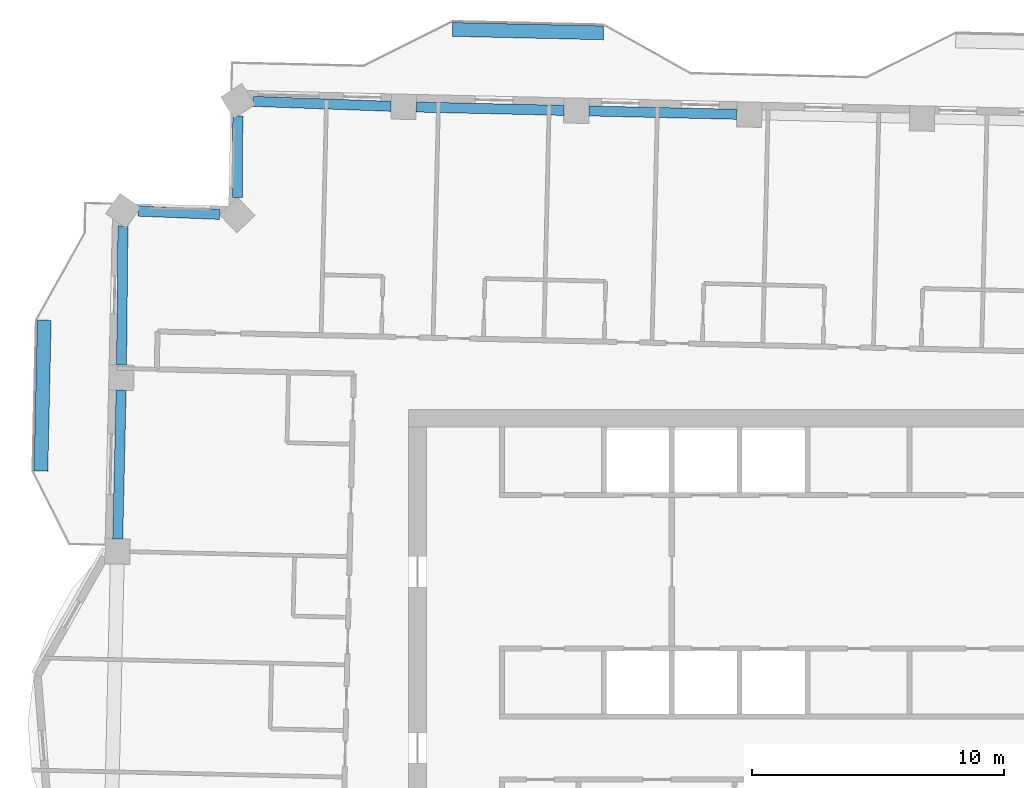
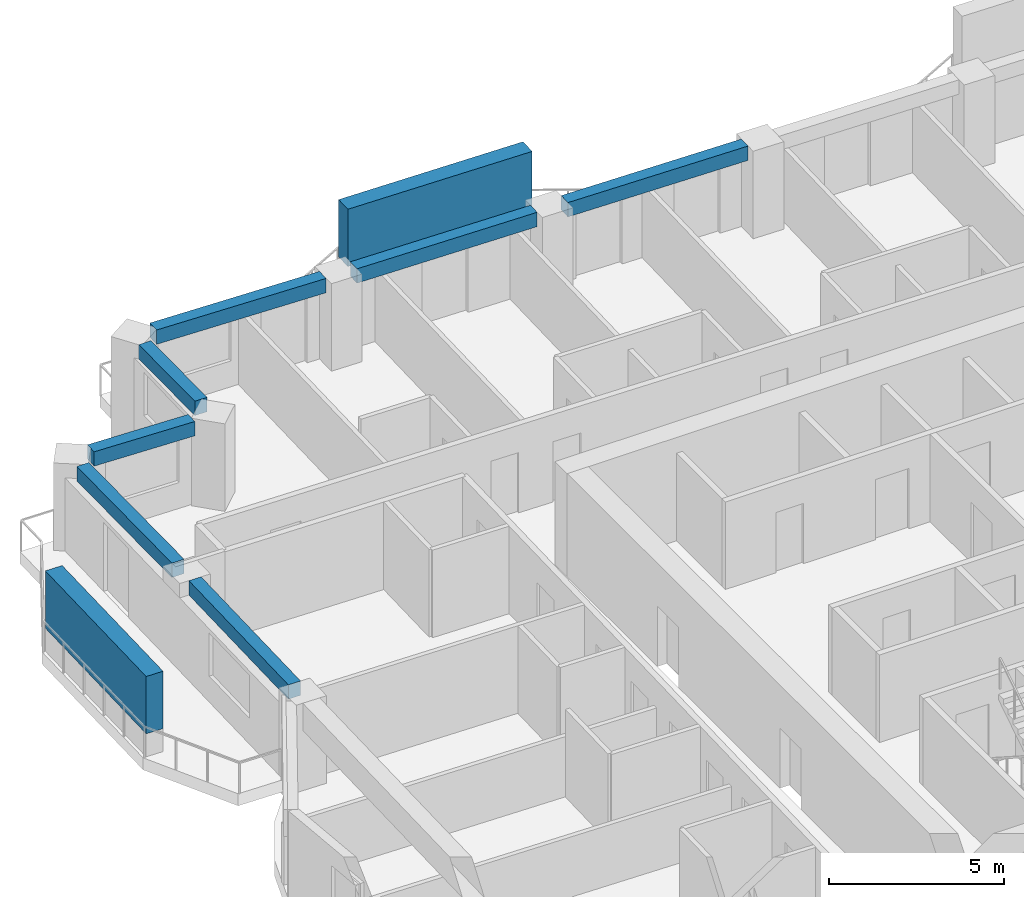
# One storey, part 3 of 17: 7 beams, 2 members.
"""IFC4 building model written with IfcOpenShell, lengths in metres."""

import ifcopenshell
import ifcopenshell.guid

model = None  # the IFC model being written
_history = None  # IfcOwnerHistory: only IFC2X3 demands one
_inside = {}  # id of a spatial element -> (the spatial element, [elements in it])
_under = {}  # id of a project, library or spatial element -> (it, [spatial elements below it])
_declared = {}  # id of a project -> (the project, [libraries it declares])
_typed = {}  # id of a type object -> (the type object, [elements of that type])
_made_of = {}  # id of a material, layer set ... -> (it, [elements and type objects made of it])


def new_model(schema):
    """Start an empty IFC model of exactly this schema.

    Asked for "IFC4X3", IfcOpenShell would pick the latest addendum, in which some entities
    have other attributes; the version numbers below select the first issue.
    IFC2X3 requires an IfcOwnerHistory on every rooted entity: one is made here for all.
    """
    global model, _history
    if schema == "IFC4X3":
        model = ifcopenshell.file(schema_version=(4, 3, 0, 0))
    else:
        model = ifcopenshell.file(schema=schema)
    _inside.clear()
    _under.clear()
    _declared.clear()
    _typed.clear()
    _made_of.clear()
    _history = None
    if model.schema == "IFC2X3":
        org = make("IfcOrganization", Name="unknown")
        user = make(
            "IfcPersonAndOrganization",
            ThePerson=make("IfcPerson", FamilyName="unknown"),
            TheOrganization=org,
        )
        app = make(
            "IfcApplication",
            ApplicationDeveloper=org,
            Version="unknown",
            ApplicationFullName="unknown",
            ApplicationIdentifier="unknown",
        )
        _history = make(
            "IfcOwnerHistory",
            OwningUser=user,
            OwningApplication=app,
            ChangeAction="ADDED",
            CreationDate=0,
        )
    return model


def make(cls, **values):
    """One entity of the class cls with the attributes given. An attribute that is None is left unset."""
    return model.create_entity(
        cls, **{name: value for name, value in values.items() if value is not None}
    )


def rooted(cls, **values):
    """An entity with a GlobalId (a new one), such as an element, a storey or a relation."""
    return make(cls, GlobalId=ifcopenshell.guid.new(), OwnerHistory=_history, **values)


def si_unit(unit_type, name, prefix=None):
    """IfcSIUnit, for example si_unit("LENGTHUNIT", "METRE", prefix="MILLI")."""
    return make("IfcSIUnit", UnitType=unit_type, Prefix=prefix, Name=name)


def assignment(units):
    """IfcUnitAssignment: the units of a project."""
    return None if units is None else make("IfcUnitAssignment", Units=units)


def point(xyz):
    """IfcCartesianPoint."""
    return None if xyz is None else make("IfcCartesianPoint", Coordinates=xyz)


def direction(xyz):
    """IfcDirection."""
    return None if xyz is None else make("IfcDirection", DirectionRatios=xyz)


def frame(location, z_axis=None, x_axis=None):
    """IfcAxis2Placement3D, a coordinate frame: its origin and axes. An axis left out is left unset."""
    return make(
        "IfcAxis2Placement3D",
        Location=point(location),
        Axis=direction(z_axis),
        RefDirection=direction(x_axis),
    )


def frame_2d(location, x_axis=None):
    """IfcAxis2Placement2D, a coordinate frame in the plane: its origin and x axis."""
    return make(
        "IfcAxis2Placement2D", Location=point(location), RefDirection=direction(x_axis)
    )


def origin():
    """The frame at (0, 0, 0) with its axes left unset."""
    return frame((0.0, 0.0, 0.0))


def origin_2d():
    """The frame at (0, 0) in the plane with its x axis left unset."""
    return frame_2d((0.0, 0.0))


def place(relative_to, where):
    """IfcLocalPlacement: puts the frame where relative to a parent placement (None: the world)."""
    return make(
        "IfcLocalPlacement", PlacementRelTo=relative_to, RelativePlacement=where
    )


def context(
    kind, dimensions, precision=None, world=None, true_north=None, identifier=None
):
    """IfcGeometricRepresentationContext, for example the 3D "Model" context."""
    return make(
        "IfcGeometricRepresentationContext",
        ContextIdentifier=identifier,
        ContextType=kind,
        CoordinateSpaceDimension=dimensions,
        Precision=precision,
        WorldCoordinateSystem=world,
        TrueNorth=true_north,
    )


def subcontext(parent, identifier, kind, view, scale=None):
    """IfcGeometricRepresentationSubContext, for example "Body" below "Model"."""
    return make(
        "IfcGeometricRepresentationSubContext",
        ContextIdentifier=identifier,
        ContextType=kind,
        ParentContext=parent,
        TargetScale=scale,
        TargetView=view,
    )


def project(units=None, contexts=None):
    """IfcProject with its units and contexts."""
    return rooted(
        "IfcProject",
        Name="project",
        RepresentationContexts=contexts,
        UnitsInContext=assignment(units),
    )


def spatial(cls, under=None, at=None, **own):
    """A site, building, storey or space (cls), placed at a placement, below another one or the project."""
    s = rooted(cls, ObjectPlacement=at, **own)
    if under is not None:
        _under.setdefault(under.id(), (under, []))[1].append(s)
    return s


def profile(cls, at=None, kind="AREA", **sizes):
    """A parametric profile (cls). Its sizes go by their IFC names, for example OverallWidth=200.0."""
    return make(cls, ProfileType=kind, Position=at, **sizes)


def rectangle(**sizes):
    """IfcRectangleProfileDef."""
    return profile("IfcRectangleProfileDef", **sizes)


def extrude(swept, where, along, depth):
    """IfcExtrudedAreaSolid: the profile swept, set in the frame where, extruded along a direction by depth."""
    return make(
        "IfcExtrudedAreaSolid",
        SweptArea=swept,
        Position=where,
        ExtrudedDirection=direction(along),
        Depth=depth,
    )


def shape(context_of_items, identifier, shape_type, items):
    """IfcShapeRepresentation: the items that make up one representation, for example the "Body"."""
    return make(
        "IfcShapeRepresentation",
        ContextOfItems=context_of_items,
        RepresentationIdentifier=identifier,
        RepresentationType=shape_type,
        Items=items,
    )


def material(Name=None, Category=None):
    """IfcMaterial."""
    return make("IfcMaterial", Name=Name, Category=Category)


def material_profile(
    of_material, cross_section, Name=None, Category=None, Priority=None
):
    """IfcMaterialProfile: a cross section and its material."""
    return make(
        "IfcMaterialProfile",
        Name=Name,
        Material=of_material,
        Profile=cross_section,
        Priority=Priority,
        Category=Category,
    )


def profile_set(profiles, Name=None, composite=None):
    """IfcMaterialProfileSet."""
    return make(
        "IfcMaterialProfileSet",
        Name=Name,
        MaterialProfiles=profiles,
        CompositeProfile=composite,
    )


def made_of(thing, what):
    """Note that an element or type object is made of a material, layer set ...; save() writes the relation."""
    if what is not None:
        _made_of.setdefault(what.id(), (what, []))[1].append(thing)
    return thing


def type_object(cls, material=None, **own):
    """A type object (cls), such as IfcWallType, which elements share."""
    return made_of(rooted(cls, **own), material)


def element(
    cls,
    number,
    at=None,
    inside=None,
    cuts=None,
    type_object=None,
    material=None,
    context=None,
    identifier="Body",
    shape_type=None,
    held_by="IfcProductDefinitionShape",
    body=None,
    shapes=None,
    **own,
):
    """One element of the class cls, such as IfcWall. Its Tag is "e" and its number.

    at: its placement. inside: the storey or other place that contains it. cuts: it is an
    opening in that element (IfcRelVoidsElement). A single representation is given by context,
    identifier, shape_type and body (its items); several are given by shapes. held_by: the class
    of the entity that holds the representations. save() writes the other relations.
    """
    e = rooted(cls, Tag="e%d" % number, ObjectPlacement=at, **own)
    if body is not None:
        shapes = [shape(context, identifier, shape_type, body)]
    if shapes is not None:
        e.Representation = make(held_by, Representations=shapes)
    if inside is not None:
        _inside.setdefault(inside.id(), (inside, []))[1].append(e)
    if cuts is not None:
        rooted(
            "IfcRelVoidsElement", RelatingBuildingElement=cuts, RelatedOpeningElement=e
        )
    if type_object is not None:
        _typed.setdefault(type_object.id(), (type_object, []))[1].append(e)
    return made_of(e, material)


def aggregate(whole, parts):
    """IfcRelAggregates: a whole, such as a stair, and the parts it consists of."""
    return rooted("IfcRelAggregates", RelatingObject=whole, RelatedObjects=parts)


def save(model, path):
    """Write the relations noted so far, then the file.

    IfcRelAggregates (storeys below a building ...), IfcRelContainedInSpatialStructure (elements
    in a storey), IfcRelDefinesByType, IfcRelAssociatesMaterial and IfcRelDeclares: one each for
    every whole, place, type object, material and project.
    """
    for whole, parts in _under.values():
        aggregate(whole, parts)
    for where, things in _inside.values():
        rooted(
            "IfcRelContainedInSpatialStructure",
            RelatedElements=things,
            RelatingStructure=where,
        )
    for kind, things in _typed.values():
        rooted("IfcRelDefinesByType", RelatedObjects=things, RelatingType=kind)
    for what, things in _made_of.values():
        rooted("IfcRelAssociatesMaterial", RelatedObjects=things, RelatingMaterial=what)
    for by, libraries in _declared.values():
        rooted("IfcRelDeclares", RelatingContext=by, RelatedDefinitions=libraries)
    model.write(path)


model = new_model("IFC4")

# Units and contexts
model_context = context("Model", 3, precision=1e-05, world=origin(), true_north=direction((0.0, 1.0)))
body_context = subcontext(model_context, "Body", "Model", "MODEL_VIEW")
ifc_project = project(units=[si_unit("LENGTHUNIT", "METRE"), si_unit("AREAUNIT", "SQUARE_METRE"), si_unit("VOLUMEUNIT", "CUBIC_METRE"), si_unit("PLANEANGLEUNIT", "RADIAN"), si_unit("MASSUNIT", "GRAM", prefix="KILO")], contexts=[model_context])

# Site, building, storey
site_placement = place(None, origin())
site = spatial("IfcSite", under=ifc_project, at=site_placement, CompositionType="ELEMENT")
building_placement = place(site_placement, origin())
building = spatial("IfcBuilding", under=site, at=building_placement, Name="Mangrove Gate Tower", CompositionType="ELEMENT")
storey_placement = place(building_placement, frame((0.0, 0.0, 268.10009765625)))
storey = spatial("IfcBuildingStorey", under=building, at=storey_placement, Name="L68", CompositionType="ELEMENT", Elevation=268.10009765625)

# Members
ifc_material_1 = material(Name="Planting on aluminium trellis", Category="aluminium")
ifc_material_profile_1 = material_profile(ifc_material_1, rectangle(XDim=0.550048828125, YDim=2.0, at=origin_2d()))
ifc_profile_set_1 = profile_set([ifc_material_profile_1], Name="Planting on aluminium trellis")
member_type = type_object("IfcMemberType", Name="Balcony greenery screen 550x2000", PredefinedType="USERDEFINED", material=ifc_profile_set_1)
member_1_placement = place(storey_placement, frame((-12.762939453125, 26.597900390625, 1.7998046875), z_axis=(0.999743178102, -0.022662255828, 0.0), x_axis=(0.022662255828, 0.999743178102, 0.0)))
element("IfcMember", 1, at=member_1_placement, inside=storey, type_object=member_type, Name="GREEN SCREEN L68 N1.1", ObjectType="PLANTING", PredefinedType="USERDEFINED", context=body_context, shape_type="SweptSolid", body=[
    extrude(rectangle(XDim=0.550048828125, YDim=2.0, at=origin_2d()), origin(), (0.0, 0.0, 1.0), 6.00048828125),
])
member_2_placement = place(storey_placement, frame((-29.115966796875, 9.050048828125, 1.7998046875), z_axis=(0.022665943652, 0.999743094499, 0.0), x_axis=(-0.999743094499, 0.022665943652, 0.0)))
element("IfcMember", 2, at=member_2_placement, inside=storey, type_object=member_type, Name="GREEN SCREEN L68 W0.1", ObjectType="PLANTING", PredefinedType="USERDEFINED", context=body_context, shape_type="SweptSolid", body=[
    extrude(rectangle(XDim=0.550048828125, YDim=2.0, at=origin_2d()), origin(), (0.0, 0.0, 1.0), 5.99951171875),
])

# Beams
ifc_material_2 = material(Name="Concrete C50/60", Category="concrete")
ifc_material_profile_2 = material_profile(ifc_material_2, rectangle(XDim=0.39990234375, YDim=0.5, at=origin_2d()))
ifc_profile_set_2 = profile_set([ifc_material_profile_2], Name="Concrete C50/60")
beam_type = type_object("IfcBeamType", Name="Edge beam RC 400x500 C50/60", PredefinedType="BEAM", material=ifc_profile_set_2)
beam_1_placement = place(storey_placement, frame((-1.47021484375, 23.226318359375, 2.7998046875), z_axis=(-0.999744748613, 0.022592866593, 0.0), x_axis=(-0.022592866593, -0.999744748613, 0.0)))
element("IfcBeam", 3, at=beam_1_placement, inside=storey, type_object=beam_type, Name="Edge beam L68 24", PredefinedType="BEAM", context=body_context, shape_type="SweptSolid", body=[
    extrude(rectangle(XDim=0.39990234375, YDim=0.5, at=origin_2d()), origin(), (0.0, 0.0, 1.0), 5.86767578125),
])
beam_2_placement = place(storey_placement, frame((-8.336181640625, 23.381591796875, 2.7998046875), z_axis=(-0.999742779972, 0.022679812483, 0.0), x_axis=(-0.022679812483, -0.999742779972, 0.0)))
element("IfcBeam", 4, at=beam_2_placement, inside=storey, type_object=beam_type, Name="Edge beam L68 25", PredefinedType="BEAM", context=body_context, shape_type="SweptSolid", body=[
    extrude(rectangle(XDim=0.39990234375, YDim=0.5, at=origin_2d()), origin(), (0.0, 0.0, 1.0), 5.86669921875),
])
beam_3_placement = place(storey_placement, frame((-15.201171875, 23.5439453125, 2.7998046875), z_axis=(-0.999368457759, 0.035534288165, 0.0), x_axis=(-0.035534288165, -0.999368457759, 0.0)))
element("IfcBeam", 5, at=beam_3_placement, inside=storey, type_object=beam_type, Name="Edge beam L68 26", PredefinedType="BEAM", context=body_context, shape_type="SweptSolid", body=[
    extrude(rectangle(XDim=0.39990234375, YDim=0.5, at=origin_2d()), origin(), (0.0, 0.0, 1.0), 5.482666015625),
])
beam_4_placement = place(storey_placement, frame((-21.290771484375, 23.1650390625, 2.7998046875), z_axis=(-0.006013120391, -0.999981921028, 0.0), x_axis=(0.999981921028, -0.006013120391, 0.0)))
element("IfcBeam", 6, at=beam_4_placement, inside=storey, type_object=beam_type, Name="Edge beam L68 27", PredefinedType="BEAM", context=body_context, shape_type="SweptSolid", body=[
    extrude(rectangle(XDim=0.39990234375, YDim=0.5, at=origin_2d()), origin(), (0.0, 0.0, 1.0), 3.248046875),
])
beam_5_placement = place(storey_placement, frame((-22.009521484375, 19.2490234375, 2.7998046875), z_axis=(-0.999212441991, 0.039679916469, 0.0), x_axis=(-0.039679916469, -0.999212441991, 0.0)))
element("IfcBeam", 7, at=beam_5_placement, inside=storey, type_object=beam_type, Name="Edge beam L68 28", PredefinedType="BEAM", context=body_context, shape_type="SweptSolid", body=[
    extrude(rectangle(XDim=0.39990234375, YDim=0.5, at=origin_2d()), origin(), (0.0, 0.0, 1.0), 3.24853515625),
])
beam_6_placement = place(storey_placement, frame((-25.855224609375, 18.7958984375, 2.7998046875), z_axis=(-0.010108966043, -0.999948903097, 0.0), x_axis=(0.999948903097, -0.010108966043, 0.0)))
element("IfcBeam", 8, at=beam_6_placement, inside=storey, type_object=beam_type, Name="Edge beam L68 29", PredefinedType="BEAM", context=body_context, shape_type="SweptSolid", body=[
    extrude(rectangle(XDim=0.39990234375, YDim=0.5, at=origin_2d()), origin(), (0.0, 0.0, 1.0), 5.530517578125),
])
beam_7_placement = place(storey_placement, frame((-25.927490234375, 12.265869140625, 2.7998046875), z_axis=(-0.022709212486, -0.999742112581, 0.0), x_axis=(0.999742112581, -0.022709212486, 0.0)))
element("IfcBeam", 9, at=beam_7_placement, inside=storey, type_object=beam_type, Name="Edge beam L68 30", PredefinedType="BEAM", context=body_context, shape_type="SweptSolid", body=[
    extrude(rectangle(XDim=0.39990234375, YDim=0.5, at=origin_2d()), origin(), (0.0, 0.0, 1.0), 5.912841796875),
])

save(model, "model.ifc")
